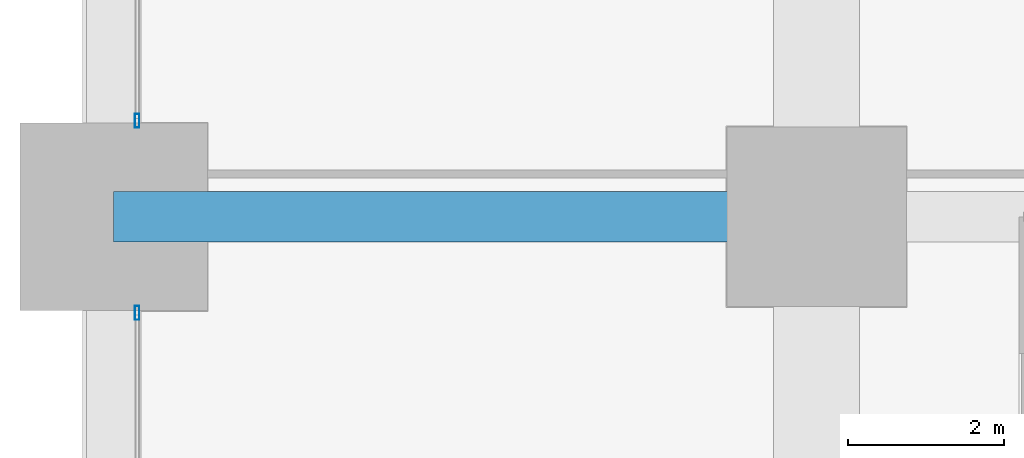
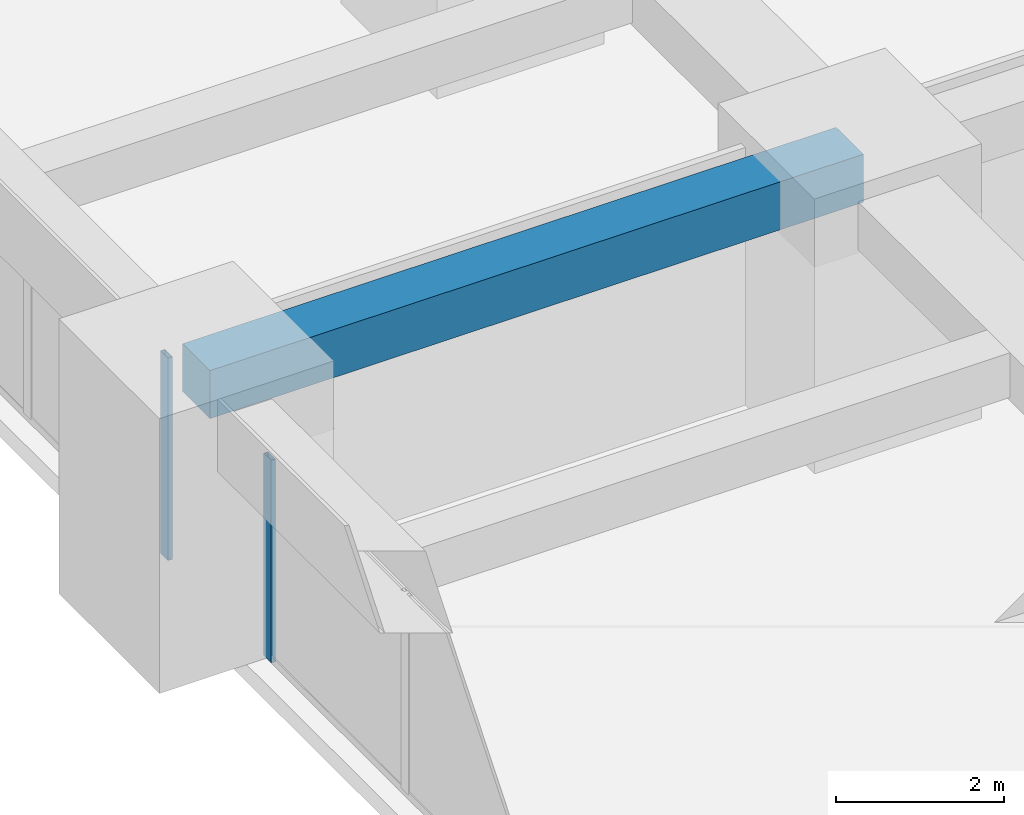
# One storey, part 23 of 45: 2 members, 1 beam, 2 elements without a shape of their own.
"""IFC4 building model written with IfcOpenShell, lengths in metres."""

from ifc_helpers import new_model, si_unit, direction, frame, origin, origin_2d, place, context, subcontext, project, spatial, rectangle, hollow_rectangle, extrude, material, material_profile, profile_set, type_object, element, aggregate, save


model = new_model("IFC4")

# Units and contexts
model_context = context("Model", 3, precision=1e-05, world=origin(), true_north=direction((0.0, 1.0)))
body_context = subcontext(model_context, "Body", "Model", "MODEL_VIEW")
ifc_project = project(units=[si_unit("LENGTHUNIT", "METRE"), si_unit("AREAUNIT", "SQUARE_METRE"), si_unit("VOLUMEUNIT", "CUBIC_METRE"), si_unit("PLANEANGLEUNIT", "RADIAN"), si_unit("MASSUNIT", "GRAM", prefix="KILO")], contexts=[model_context])

# Site, building, storey
site_placement = place(None, origin())
site = spatial("IfcSite", under=ifc_project, at=site_placement, CompositionType="ELEMENT")
building_placement = place(site_placement, origin())
building = spatial("IfcBuilding", under=site, at=building_placement, Name="Zorevar Civic Tower", CompositionType="ELEMENT")
storey_placement = place(building_placement, frame((0.0, 0.0, 39.800048828125)))
storey = spatial("IfcBuildingStorey", under=building, at=storey_placement, Name="L09", CompositionType="ELEMENT", Elevation=39.800048828125)

# Beam
ifc_material_1 = material(Name="Concrete C50/60", Category="concrete")
ifc_material_profile_1 = material_profile(ifc_material_1, rectangle(XDim=0.64990234375, YDim=0.699951171875, at=origin_2d()), Name="RC 650x700")
ifc_profile_set_1 = profile_set([ifc_material_profile_1], Name="Concrete C50/60")
beam_type = type_object("IfcBeamType", Name="Beam RC 650x700", PredefinedType="BEAM", material=ifc_profile_set_1)
beam_placement = place(storey_placement, frame((0.0, 36.0, 3.39990234375), z_axis=(1.0, 0.0, 0.0), x_axis=(0.0, 1.0, 0.0)))
element("IfcBeam", 1, at=beam_placement, inside=storey, type_object=beam_type, Name="Girder L10", PredefinedType="BEAM", context=body_context, shape_type="SweptSolid", body=[
    extrude(rectangle(XDim=0.64990234375, YDim=0.699951171875, at=origin_2d()), origin(), (0.0, 0.0, 1.0), 9.0),
])

# Curtain wall, member
ifc_material_2 = material(Name="Dark grey solar-control glass in black aluminium frame", Category="aluminium")
curtain_wall_type = type_object("IfcCurtainWallType", Name="Curtain wall CW2 low zone", PredefinedType="NOTDEFINED", material=ifc_material_2)
curtain_wall_1_placement = place(storey_placement, origin())
curtain_wall_1 = element("IfcCurtainWall", 2, at=curtain_wall_1_placement, inside=storey, type_object=curtain_wall_type, Name="CW2 L09", PredefinedType="NOTDEFINED")
ifc_material_3 = material(Name="Aluminium, black anodised", Category="aluminium")
ifc_material_profile_2 = material_profile(ifc_material_3, hollow_rectangle(XDim=0.06005859375, YDim=0.179931640625, WallThickness=0.00390625, at=origin_2d()), Name="AL 180x60x4")
ifc_profile_set_2 = profile_set([ifc_material_profile_2], Name="Aluminium, black anodised")
member_type = type_object("IfcMemberType", Name="CW2 mullion AL 180x60x4", PredefinedType="MULLION", material=ifc_profile_set_2)
member_1_placement = place(storey_placement, frame((0.300048828125, 34.77001953125, 0.0), z_axis=(0.0, 0.0, 1.0), x_axis=(-1.0, 0.0, 0.0)))
member_1 = element("IfcMember", 3, at=member_1_placement, type_object=member_type, Name="CW2 mullion 3", PredefinedType="MULLION", context=body_context, shape_type="SweptSolid", body=[
    extrude(hollow_rectangle(XDim=0.06005859375, YDim=0.179931640625, WallThickness=0.00390625, at=origin_2d()), origin(), (0.0, 0.0, 1.0), 2.949951171875),
])
aggregate(curtain_wall_1, [member_1])

curtain_wall_2_placement = place(storey_placement, origin())
curtain_wall_2 = element("IfcCurtainWall", 4, at=curtain_wall_2_placement, inside=storey, type_object=curtain_wall_type, Name="CW2 L09", PredefinedType="NOTDEFINED")
member_2_placement = place(storey_placement, frame((0.300048828125, 37.22998046875, 0.0), z_axis=(0.0, 0.0, 1.0), x_axis=(-1.0, 0.0, 0.0)))
member_2 = element("IfcMember", 5, at=member_2_placement, type_object=member_type, Name="CW2 mullion 1", PredefinedType="MULLION", context=body_context, shape_type="SweptSolid", body=[
    extrude(hollow_rectangle(XDim=0.06005859375, YDim=0.179931640625, WallThickness=0.00390625, at=origin_2d()), origin(), (0.0, 0.0, 1.0), 2.949951171875),
])
aggregate(curtain_wall_2, [member_2])

save(model, "model.ifc")
